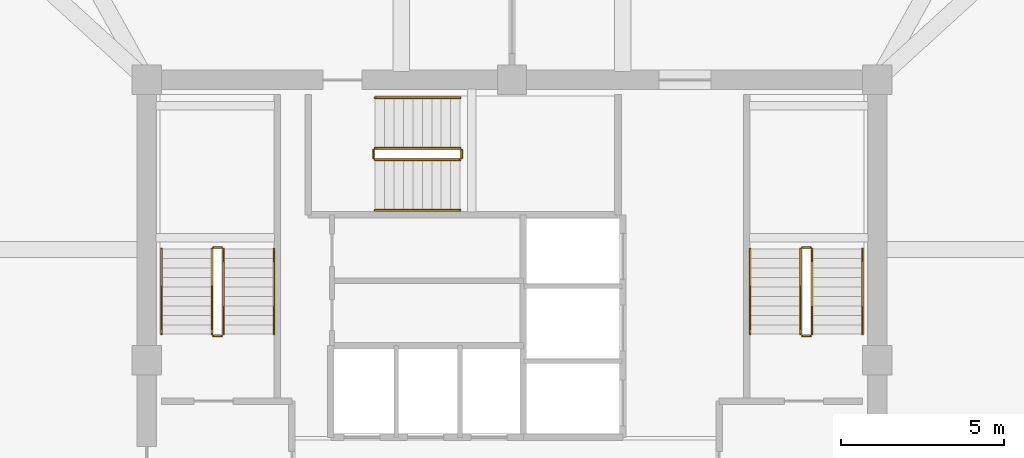
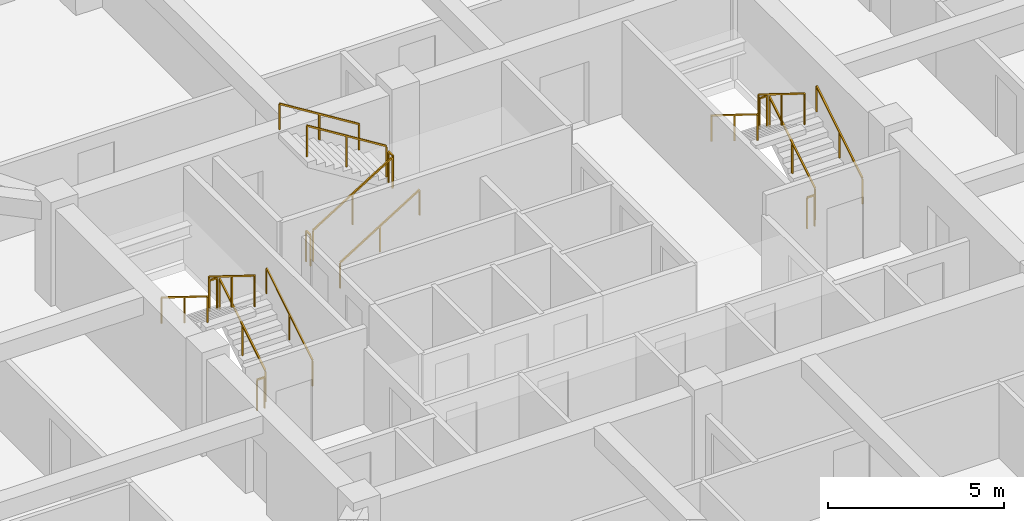
# One storey, part 13 of 13: 18 railings.
"""IFC4 building model written with IfcOpenShell, lengths in metres."""

from ifc_helpers import new_model, si_unit, derived_unit, direction, frame, origin, origin_2d, place, context, subcontext, project, spatial, rectangle, extrude, material, type_object, element, save


model = new_model("IFC4")

# Units and contexts
model_context = context("Model", 3, precision=1e-05, world=origin(), true_north=direction((0.0, 1.0)))
body_context = subcontext(model_context, "Body", "Model", "MODEL_VIEW")
ifc_project = project(units=[si_unit("LENGTHUNIT", "METRE"), si_unit("AREAUNIT", "SQUARE_METRE"), si_unit("VOLUMEUNIT", "CUBIC_METRE"), si_unit("PLANEANGLEUNIT", "RADIAN"), si_unit("MASSUNIT", "GRAM", prefix="KILO"), derived_unit("THERMALTRANSMITTANCEUNIT", [(si_unit("POWERUNIT", "WATT"), 1), (si_unit("LENGTHUNIT", "METRE"), -2), (si_unit("THERMODYNAMICTEMPERATUREUNIT", "KELVIN"), -1)])], contexts=[model_context])

# Site, building, storey
site_placement = place(None, origin())
site = spatial("IfcSite", under=ifc_project, at=site_placement, CompositionType="ELEMENT")
building_placement = place(site_placement, origin())
building = spatial("IfcBuilding", under=site, at=building_placement, Name="Koralith Skygarden Medical Center", CompositionType="ELEMENT")
storey_placement = place(building_placement, frame((0.0, 0.0, 199.97998046875)))
storey = spatial("IfcBuildingStorey", under=building, at=storey_placement, Name="L51", CompositionType="ELEMENT", Elevation=199.97998046875)

# Railings
ifc_material = material(Name="Steel ASTM A500 Grade C", Category="steel")
railing_type_1 = type_object("IfcRailingType", Name="Stair Flight Tubular Handrail 920", PredefinedType="HANDRAIL", material=ifc_material)
railing_1_placement = place(storey_placement, frame((29.699951171875, 26.699951171875, 0.179931640625)))
element("IfcRailing", 1, at=railing_1_placement, inside=storey, type_object=railing_type_1, Name="L51 ST1 stair handrail 1", PredefinedType="HANDRAIL", context=body_context, shape_type="SweptSolid", body=[
    extrude(rectangle(XDim=0.050048828125, YDim=0.050048828125, at=origin_2d()), frame((0.0, 0.001708984375, 0.89599609375), z_axis=(0.0, 0.849632798774, 0.527374731332), x_axis=(-1.0, 0.0, 0.0)), (0.0, 0.0, 1.0), 3.068115234375),
    extrude(rectangle(XDim=0.0419921875, YDim=0.0419921875, at=origin_2d()), origin(), (0.0, 0.0, 1.0), 0.867919921875),
    extrude(rectangle(XDim=0.0419921875, YDim=0.0419921875, at=origin_2d()), frame((0.0, 1.30517578125, 0.81005859375)), (0.0, 0.0, 1.0), 0.867919921875),
    extrude(rectangle(XDim=0.0419921875, YDim=0.0419921875, at=origin_2d()), frame((0.0, 2.610107421875, 1.6201171875)), (0.0, 0.0, 1.0), 0.867919921875),
])
railing_2_placement = place(storey_placement, frame((26.25, 29.31005859375, 1.97998046875)))
element("IfcRailing", 2, at=railing_2_placement, inside=storey, type_object=railing_type_1, Name="L51 ST1 stair handrail 2", PredefinedType="HANDRAIL", context=body_context, shape_type="SweptSolid", body=[
    extrude(rectangle(XDim=0.050048828125, YDim=0.050048828125, at=origin_2d()), frame((0.0, -0.001708984375, 0.89599609375), z_axis=(0.0, -0.849632798774, 0.527374731332), x_axis=(1.0, 0.0, 0.0)), (0.0, 0.0, 1.0), 3.068115234375),
    extrude(rectangle(XDim=0.0419921875, YDim=0.0419921875, at=origin_2d()), origin(), (0.0, 0.0, 1.0), 0.867919921875),
    extrude(rectangle(XDim=0.0419921875, YDim=0.0419921875, at=origin_2d()), frame((0.0, -1.30517578125, 0.81005859375)), (0.0, 0.0, 1.0), 0.867919921875),
    extrude(rectangle(XDim=0.0419921875, YDim=0.0419921875, at=origin_2d()), frame((0.0, -2.610107421875, 1.6201171875)), (0.0, 0.0, 1.0), 0.867919921875),
])
railing_3_placement = place(storey_placement, frame((47.75, 26.699951171875, 0.179931640625)))
element("IfcRailing", 3, at=railing_3_placement, inside=storey, type_object=railing_type_1, Name="L51 ST2 stair handrail 1", PredefinedType="HANDRAIL", context=body_context, shape_type="SweptSolid", body=[
    extrude(rectangle(XDim=0.050048828125, YDim=0.050048828125, at=origin_2d()), frame((0.0, 0.001708984375, 0.89599609375), z_axis=(0.0, 0.849632798774, 0.527374731332), x_axis=(-1.0, 0.0, 0.0)), (0.0, 0.0, 1.0), 3.068115234375),
    extrude(rectangle(XDim=0.0419921875, YDim=0.0419921875, at=origin_2d()), origin(), (0.0, 0.0, 1.0), 0.867919921875),
    extrude(rectangle(XDim=0.0419921875, YDim=0.0419921875, at=origin_2d()), frame((0.0, 1.30517578125, 0.81005859375)), (0.0, 0.0, 1.0), 0.867919921875),
    extrude(rectangle(XDim=0.0419921875, YDim=0.0419921875, at=origin_2d()), frame((0.0, 2.610107421875, 1.6201171875)), (0.0, 0.0, 1.0), 0.867919921875),
])
railing_4_placement = place(storey_placement, frame((44.300048828125, 29.31005859375, 1.97998046875)))
element("IfcRailing", 4, at=railing_4_placement, inside=storey, type_object=railing_type_1, Name="L51 ST2 stair handrail 2", PredefinedType="HANDRAIL", context=body_context, shape_type="SweptSolid", body=[
    extrude(rectangle(XDim=0.050048828125, YDim=0.050048828125, at=origin_2d()), frame((0.0, -0.001708984375, 0.89599609375), z_axis=(0.0, -0.849632798774, 0.527374731332), x_axis=(1.0, 0.0, 0.0)), (0.0, 0.0, 1.0), 3.068115234375),
    extrude(rectangle(XDim=0.0419921875, YDim=0.0419921875, at=origin_2d()), origin(), (0.0, 0.0, 1.0), 0.867919921875),
    extrude(rectangle(XDim=0.0419921875, YDim=0.0419921875, at=origin_2d()), frame((0.0, -1.30517578125, 0.81005859375)), (0.0, 0.0, 1.0), 0.867919921875),
    extrude(rectangle(XDim=0.0419921875, YDim=0.0419921875, at=origin_2d()), frame((0.0, -2.610107421875, 1.6201171875)), (0.0, 0.0, 1.0), 0.867919921875),
])
railing_5_placement = place(storey_placement, frame((32.800048828125, 30.5, 0.179931640625)))
element("IfcRailing", 5, at=railing_5_placement, inside=storey, type_object=railing_type_1, Name="L51 ST3 stair handrail 1", PredefinedType="HANDRAIL", context=body_context, shape_type="SweptSolid", body=[
    extrude(rectangle(XDim=0.050048828125, YDim=0.050048828125, at=origin_2d()), frame((0.001708984375, 0.0, 0.89599609375), z_axis=(0.849610693518, 0.0, 0.52741034258), x_axis=(0.0, 1.0, 0.0)), (0.0, 0.0, 1.0), 3.06787109375),
    extrude(rectangle(XDim=0.0419921875, YDim=0.0419921875, at=origin_2d()), origin(), (0.0, 0.0, 1.0), 0.867919921875),
    extrude(rectangle(XDim=0.0419921875, YDim=0.0419921875, at=origin_2d()), frame((1.304931640625, 0.0, 0.81005859375)), (0.0, 0.0, 1.0), 0.867919921875),
    extrude(rectangle(XDim=0.0419921875, YDim=0.0419921875, at=origin_2d()), frame((2.60986328125, 0.0, 1.6201171875)), (0.0, 0.0, 1.0), 0.867919921875),
])
railing_6_placement = place(storey_placement, frame((35.409912109375, 33.949951171875, 1.97998046875)))
element("IfcRailing", 6, at=railing_6_placement, inside=storey, type_object=railing_type_1, Name="L51 ST3 stair handrail 2", PredefinedType="HANDRAIL", context=body_context, shape_type="SweptSolid", body=[
    extrude(rectangle(XDim=0.050048828125, YDim=0.050048828125, at=origin_2d()), frame((-0.001708984375, 0.0, 0.89599609375), z_axis=(-0.849610693518, 0.0, 0.52741034258), x_axis=(0.0, -1.0, 0.0)), (0.0, 0.0, 1.0), 3.06787109375),
    extrude(rectangle(XDim=0.0419921875, YDim=0.0419921875, at=origin_2d()), origin(), (0.0, 0.0, 1.0), 0.867919921875),
    extrude(rectangle(XDim=0.0419921875, YDim=0.0419921875, at=origin_2d()), frame((-1.304931640625, 0.0, 0.81005859375)), (0.0, 0.0, 1.0), 0.867919921875),
    extrude(rectangle(XDim=0.0419921875, YDim=0.0419921875, at=origin_2d()), frame((-2.60986328125, 0.0, 1.6201171875)), (0.0, 0.0, 1.0), 0.867919921875),
])
railing_type_2 = type_object("IfcRailingType", Name="Stair Well Safety Guardrail 1100", PredefinedType="GUARDRAIL", material=ifc_material)
railing_7_placement = place(storey_placement, frame((28.14990234375, 26.699951171875, 0.179931640625)))
element("IfcRailing", 7, at=railing_7_placement, inside=storey, type_object=railing_type_2, Name="L51 ST1 stair guard 1", PredefinedType="GUARDRAIL", context=body_context, shape_type="SweptSolid", body=[
    extrude(rectangle(XDim=0.050048828125, YDim=0.050048828125, at=origin_2d()), frame((0.0, 0.001708984375, 1.076171875), z_axis=(0.0, 0.849632798774, 0.527374731332), x_axis=(-1.0, 0.0, 0.0)), (0.0, 0.0, 1.0), 3.068115234375),
    extrude(rectangle(XDim=0.0419921875, YDim=0.0419921875, at=origin_2d()), origin(), (0.0, 0.0, 1.0), 1.048095703125),
    extrude(rectangle(XDim=0.0419921875, YDim=0.0419921875, at=origin_2d()), frame((0.0, 1.30517578125, 0.81005859375)), (0.0, 0.0, 1.0), 1.048095703125),
    extrude(rectangle(XDim=0.0419921875, YDim=0.0419921875, at=origin_2d()), frame((0.0, 2.610107421875, 1.6201171875)), (0.0, 0.0, 1.0), 1.048095703125),
])
railing_8_placement = place(storey_placement, frame((28.10009765625, 29.360107421875, 1.800048828125)))
element("IfcRailing", 8, at=railing_8_placement, inside=storey, type_object=railing_type_2, Name="L51 ST1 stair guard 2", PredefinedType="GUARDRAIL", context=body_context, shape_type="SweptSolid", body=[
    extrude(rectangle(XDim=0.050048828125, YDim=0.050048828125, at=origin_2d()), frame((-0.001953125, 0.0, 1.0751953125), z_axis=(-1.0, 0.0, 0.0), x_axis=(0.0, -1.0, 0.0)), (0.0, 0.0, 1.0), 0.24609375),
    extrude(rectangle(XDim=0.0419921875, YDim=0.0419921875, at=origin_2d()), origin(), (0.0, 0.0, 1.0), 1.048095703125),
    extrude(rectangle(XDim=0.0419921875, YDim=0.0419921875, at=origin_2d()), frame((-0.25, 0.0, 0.0)), (0.0, 0.0, 1.0), 1.048095703125),
])
railing_9_placement = place(storey_placement, frame((27.800048828125, 29.31005859375, 1.97998046875)))
element("IfcRailing", 9, at=railing_9_placement, inside=storey, type_object=railing_type_2, Name="L51 ST1 stair guard 3", PredefinedType="GUARDRAIL", context=body_context, shape_type="SweptSolid", body=[
    extrude(rectangle(XDim=0.050048828125, YDim=0.050048828125, at=origin_2d()), frame((0.0, -0.001708984375, 1.076171875), z_axis=(0.0, -0.849632798774, 0.527374731332), x_axis=(1.0, 0.0, 0.0)), (0.0, 0.0, 1.0), 3.068115234375),
    extrude(rectangle(XDim=0.0419921875, YDim=0.0419921875, at=origin_2d()), origin(), (0.0, 0.0, 1.0), 1.048095703125),
    extrude(rectangle(XDim=0.0419921875, YDim=0.0419921875, at=origin_2d()), frame((0.0, -1.30517578125, 0.81005859375)), (0.0, 0.0, 1.0), 1.048095703125),
    extrude(rectangle(XDim=0.0419921875, YDim=0.0419921875, at=origin_2d()), frame((0.0, -2.610107421875, 1.6201171875)), (0.0, 0.0, 1.0), 1.048095703125),
])
railing_10_placement = place(storey_placement, frame((28.10009765625, 26.64990234375, 0.0)))
element("IfcRailing", 10, at=railing_10_placement, inside=storey, type_object=railing_type_2, Name="L51 ST1 stair guard 4", PredefinedType="GUARDRAIL", context=body_context, shape_type="SweptSolid", body=[
    extrude(rectangle(XDim=0.050048828125, YDim=0.050048828125, at=origin_2d()), frame((-0.001953125, 0.0, 1.0751953125), z_axis=(-1.0, 0.0, 0.0), x_axis=(0.0, -1.0, 0.0)), (0.0, 0.0, 1.0), 0.24609375),
    extrude(rectangle(XDim=0.0419921875, YDim=0.0419921875, at=origin_2d()), origin(), (0.0, 0.0, 1.0), 1.048095703125),
    extrude(rectangle(XDim=0.0419921875, YDim=0.0419921875, at=origin_2d()), frame((-0.25, 0.0, 0.0)), (0.0, 0.0, 1.0), 1.048095703125),
])
railing_11_placement = place(storey_placement, frame((46.199951171875, 26.699951171875, 0.179931640625)))
element("IfcRailing", 11, at=railing_11_placement, inside=storey, type_object=railing_type_2, Name="L51 ST2 stair guard 1", PredefinedType="GUARDRAIL", context=body_context, shape_type="SweptSolid", body=[
    extrude(rectangle(XDim=0.050048828125, YDim=0.050048828125, at=origin_2d()), frame((0.0, 0.001708984375, 1.076171875), z_axis=(0.0, 0.849632798774, 0.527374731332), x_axis=(-1.0, 0.0, 0.0)), (0.0, 0.0, 1.0), 3.068115234375),
    extrude(rectangle(XDim=0.0419921875, YDim=0.0419921875, at=origin_2d()), origin(), (0.0, 0.0, 1.0), 1.048095703125),
    extrude(rectangle(XDim=0.0419921875, YDim=0.0419921875, at=origin_2d()), frame((0.0, 1.30517578125, 0.81005859375)), (0.0, 0.0, 1.0), 1.048095703125),
    extrude(rectangle(XDim=0.0419921875, YDim=0.0419921875, at=origin_2d()), frame((0.0, 2.610107421875, 1.6201171875)), (0.0, 0.0, 1.0), 1.048095703125),
])
railing_12_placement = place(storey_placement, frame((46.14990234375, 29.360107421875, 1.800048828125)))
element("IfcRailing", 12, at=railing_12_placement, inside=storey, type_object=railing_type_2, Name="L51 ST2 stair guard 2", PredefinedType="GUARDRAIL", context=body_context, shape_type="SweptSolid", body=[
    extrude(rectangle(XDim=0.050048828125, YDim=0.050048828125, at=origin_2d()), frame((-0.001953125, 0.0, 1.0751953125), z_axis=(-1.0, 0.0, 0.0), x_axis=(0.0, -1.0, 0.0)), (0.0, 0.0, 1.0), 0.24609375),
    extrude(rectangle(XDim=0.0419921875, YDim=0.0419921875, at=origin_2d()), origin(), (0.0, 0.0, 1.0), 1.048095703125),
    extrude(rectangle(XDim=0.0419921875, YDim=0.0419921875, at=origin_2d()), frame((-0.25, 0.0, 0.0)), (0.0, 0.0, 1.0), 1.048095703125),
])
railing_13_placement = place(storey_placement, frame((45.85009765625, 29.31005859375, 1.97998046875)))
element("IfcRailing", 13, at=railing_13_placement, inside=storey, type_object=railing_type_2, Name="L51 ST2 stair guard 3", PredefinedType="GUARDRAIL", context=body_context, shape_type="SweptSolid", body=[
    extrude(rectangle(XDim=0.050048828125, YDim=0.050048828125, at=origin_2d()), frame((0.0, -0.001708984375, 1.076171875), z_axis=(0.0, -0.849632798774, 0.527374731332), x_axis=(1.0, 0.0, 0.0)), (0.0, 0.0, 1.0), 3.068115234375),
    extrude(rectangle(XDim=0.0419921875, YDim=0.0419921875, at=origin_2d()), origin(), (0.0, 0.0, 1.0), 1.048095703125),
    extrude(rectangle(XDim=0.0419921875, YDim=0.0419921875, at=origin_2d()), frame((0.0, -1.30517578125, 0.81005859375)), (0.0, 0.0, 1.0), 1.048095703125),
    extrude(rectangle(XDim=0.0419921875, YDim=0.0419921875, at=origin_2d()), frame((0.0, -2.610107421875, 1.6201171875)), (0.0, 0.0, 1.0), 1.048095703125),
])
railing_14_placement = place(storey_placement, frame((46.14990234375, 26.64990234375, 0.0)))
element("IfcRailing", 14, at=railing_14_placement, inside=storey, type_object=railing_type_2, Name="L51 ST2 stair guard 4", PredefinedType="GUARDRAIL", context=body_context, shape_type="SweptSolid", body=[
    extrude(rectangle(XDim=0.050048828125, YDim=0.050048828125, at=origin_2d()), frame((-0.001953125, 0.0, 1.0751953125), z_axis=(-1.0, 0.0, 0.0), x_axis=(0.0, -1.0, 0.0)), (0.0, 0.0, 1.0), 0.24609375),
    extrude(rectangle(XDim=0.0419921875, YDim=0.0419921875, at=origin_2d()), origin(), (0.0, 0.0, 1.0), 1.048095703125),
    extrude(rectangle(XDim=0.0419921875, YDim=0.0419921875, at=origin_2d()), frame((-0.25, 0.0, 0.0)), (0.0, 0.0, 1.0), 1.048095703125),
])
railing_15_placement = place(storey_placement, frame((32.800048828125, 32.050048828125, 0.179931640625)))
element("IfcRailing", 15, at=railing_15_placement, inside=storey, type_object=railing_type_2, Name="L51 ST3 stair guard 1", PredefinedType="GUARDRAIL", context=body_context, shape_type="SweptSolid", body=[
    extrude(rectangle(XDim=0.050048828125, YDim=0.050048828125, at=origin_2d()), frame((0.001708984375, 0.0, 1.076171875), z_axis=(0.849610693518, 0.0, 0.52741034258), x_axis=(0.0, 1.0, 0.0)), (0.0, 0.0, 1.0), 3.06787109375),
    extrude(rectangle(XDim=0.0419921875, YDim=0.0419921875, at=origin_2d()), origin(), (0.0, 0.0, 1.0), 1.048095703125),
    extrude(rectangle(XDim=0.0419921875, YDim=0.0419921875, at=origin_2d()), frame((1.304931640625, 0.0, 0.81005859375)), (0.0, 0.0, 1.0), 1.048095703125),
    extrude(rectangle(XDim=0.0419921875, YDim=0.0419921875, at=origin_2d()), frame((2.60986328125, 0.0, 1.6201171875)), (0.0, 0.0, 1.0), 1.048095703125),
])
railing_16_placement = place(storey_placement, frame((35.4599609375, 32.10009765625, 1.800048828125)))
element("IfcRailing", 16, at=railing_16_placement, inside=storey, type_object=railing_type_2, Name="L51 ST3 stair guard 2", PredefinedType="GUARDRAIL", context=body_context, shape_type="SweptSolid", body=[
    extrude(rectangle(XDim=0.050048828125, YDim=0.050048828125, at=origin_2d()), frame((0.0, 0.001953125, 1.0751953125), z_axis=(0.0, 1.0, 0.0), x_axis=(-1.0, 0.0, 0.0)), (0.0, 0.0, 1.0), 0.24609375),
    extrude(rectangle(XDim=0.0419921875, YDim=0.0419921875, at=origin_2d()), origin(), (0.0, 0.0, 1.0), 1.048095703125),
    extrude(rectangle(XDim=0.0419921875, YDim=0.0419921875, at=origin_2d()), frame((0.0, 0.25, 0.0)), (0.0, 0.0, 1.0), 1.048095703125),
])
railing_17_placement = place(storey_placement, frame((35.409912109375, 32.39990234375, 1.97998046875)))
element("IfcRailing", 17, at=railing_17_placement, inside=storey, type_object=railing_type_2, Name="L51 ST3 stair guard 3", PredefinedType="GUARDRAIL", context=body_context, shape_type="SweptSolid", body=[
    extrude(rectangle(XDim=0.050048828125, YDim=0.050048828125, at=origin_2d()), frame((-0.001708984375, 0.0, 1.076171875), z_axis=(-0.849610693518, 0.0, 0.52741034258), x_axis=(0.0, -1.0, 0.0)), (0.0, 0.0, 1.0), 3.06787109375),
    extrude(rectangle(XDim=0.0419921875, YDim=0.0419921875, at=origin_2d()), origin(), (0.0, 0.0, 1.0), 1.048095703125),
    extrude(rectangle(XDim=0.0419921875, YDim=0.0419921875, at=origin_2d()), frame((-1.304931640625, 0.0, 0.81005859375)), (0.0, 0.0, 1.0), 1.048095703125),
    extrude(rectangle(XDim=0.0419921875, YDim=0.0419921875, at=origin_2d()), frame((-2.60986328125, 0.0, 1.6201171875)), (0.0, 0.0, 1.0), 1.048095703125),
])
railing_18_placement = place(storey_placement, frame((32.75, 32.10009765625, 0.0)))
element("IfcRailing", 18, at=railing_18_placement, inside=storey, type_object=railing_type_2, Name="L51 ST3 stair guard 4", PredefinedType="GUARDRAIL", context=body_context, shape_type="SweptSolid", body=[
    extrude(rectangle(XDim=0.050048828125, YDim=0.050048828125, at=origin_2d()), frame((0.0, 0.001953125, 1.0751953125), z_axis=(0.0, 1.0, 0.0), x_axis=(-1.0, 0.0, 0.0)), (0.0, 0.0, 1.0), 0.24609375),
    extrude(rectangle(XDim=0.0419921875, YDim=0.0419921875, at=origin_2d()), origin(), (0.0, 0.0, 1.0), 1.048095703125),
    extrude(rectangle(XDim=0.0419921875, YDim=0.0419921875, at=origin_2d()), frame((0.0, 0.25, 0.0)), (0.0, 0.0, 1.0), 1.048095703125),
])

save(model, "model.ifc")
